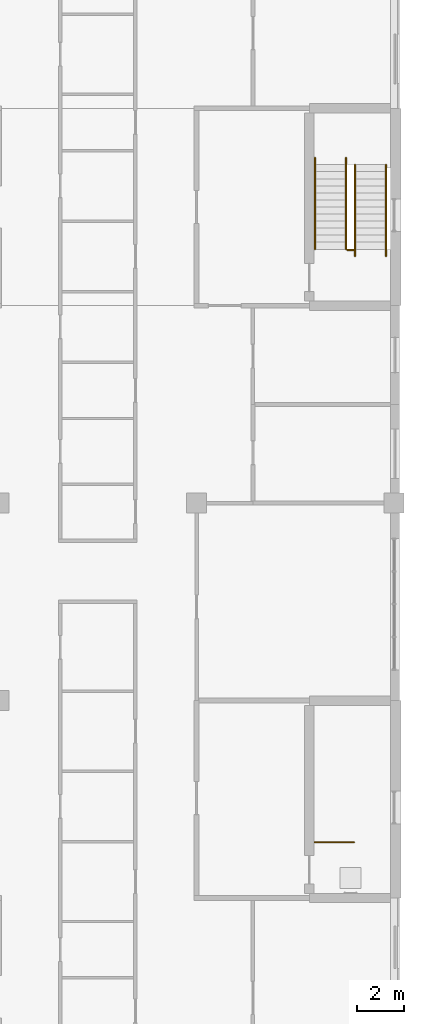
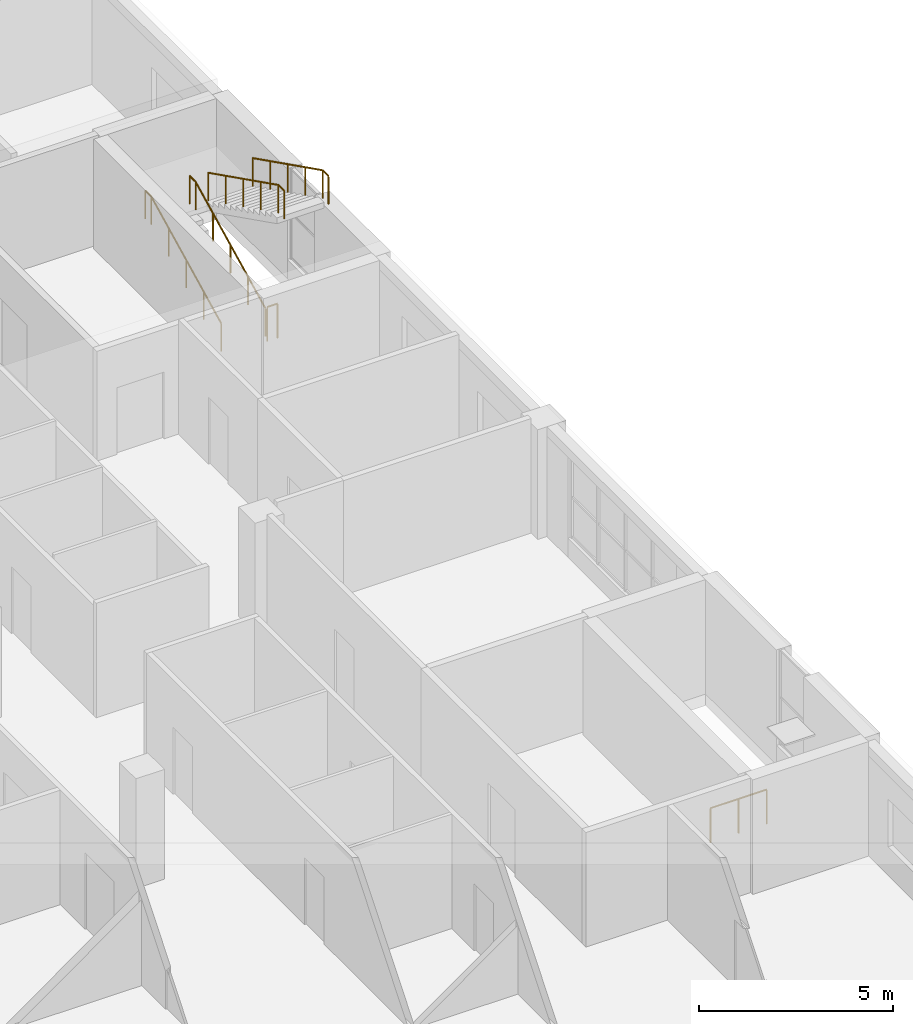
# One storey, part 93 of 94: 6 railings.
"""IFC4 building model written with IfcOpenShell, lengths in metres."""

from ifc_helpers import new_model, si_unit, direction, frame, origin, origin_2d, place, context, subcontext, project, spatial, circle, extrude, material, type_object, element, save


model = new_model("IFC4")

# Units and contexts
model_context = context("Model", 3, precision=1e-05, world=origin(), true_north=direction((0.0, 1.0)))
body_context = subcontext(model_context, "Body", "Model", "MODEL_VIEW")
ifc_project = project(units=[si_unit("LENGTHUNIT", "METRE"), si_unit("AREAUNIT", "SQUARE_METRE"), si_unit("VOLUMEUNIT", "CUBIC_METRE"), si_unit("PLANEANGLEUNIT", "RADIAN"), si_unit("MASSUNIT", "GRAM", prefix="KILO")], contexts=[model_context])

# Site, building, storey
site_placement = place(None, origin())
site = spatial("IfcSite", under=ifc_project, at=site_placement, CompositionType="ELEMENT")
building_placement = place(site_placement, origin())
building = spatial("IfcBuilding", under=site, at=building_placement, Name="Yavir Park General Hospital", CompositionType="ELEMENT")
storey_placement = place(building_placement, frame((0.0, 0.0, 4.5)))
storey = spatial("IfcBuildingStorey", under=building, at=storey_placement, Name="L01", CompositionType="ELEMENT", Elevation=4.5)

# Railings
ifc_material_1 = material(Name="Steel balustrade with infill rods", Category="steel")
railing_type_1 = type_object("IfcRailingType", Name="Stair guard, steel balustrade 1100 mm", PredefinedType="GUARDRAIL", material=ifc_material_1)
railing_1_placement = place(storey_placement, frame((164.6298828125, 52.77001953125, 0.0)))
element("IfcRailing", 1, at=railing_1_placement, inside=storey, type_object=railing_type_1, Name="Stair well guard ES1 L01", PredefinedType="GUARDRAIL", context=body_context, shape_type="SweptSolid", body=[
    extrude(circle(Radius=0.02392578125, at=origin_2d()), frame((0.0, 0.0, 1.076171875), z_axis=(1.0, 0.0, 0.0), x_axis=(0.0, 1.0, 0.0)), (0.0, 0.0, 1.0), 1.670166015625),
    extrude(circle(Radius=0.02099609375, at=origin_2d()), origin(), (0.0, 0.0, 1.0), 1.052001953125),
    extrude(circle(Radius=0.02099609375, at=origin_2d()), frame((0.8349609375, 0.0, 0.0)), (0.0, 0.0, 1.0), 1.052001953125),
    extrude(circle(Radius=0.02099609375, at=origin_2d()), frame((1.670166015625, 0.0, 0.0)), (0.0, 0.0, 1.0), 1.052001953125),
])
railing_2_placement = place(storey_placement, frame((166.0, 77.969970703125, 0.0)))
element("IfcRailing", 2, at=railing_2_placement, inside=storey, type_object=railing_type_1, Name="Stair well guard ES2 L01", PredefinedType="GUARDRAIL", context=body_context, shape_type="SweptSolid", body=[
    extrude(circle(Radius=0.02392578125, at=origin_2d()), frame((0.0, 0.0, 1.076171875), z_axis=(1.0, 0.0, 0.0), x_axis=(0.0, 1.0, 0.0)), (0.0, 0.0, 1.0), 0.300048828125),
    extrude(circle(Radius=0.02099609375, at=origin_2d()), origin(), (0.0, 0.0, 1.0), 1.052001953125),
    extrude(circle(Radius=0.02099609375, at=origin_2d()), frame((0.300048828125, 0.0, 0.0)), (0.0, 0.0, 1.0), 1.052001953125),
])
ifc_material_2 = material(Name="Stainless steel tube 48 mm", Category="steel")
railing_type_2 = type_object("IfcRailingType", Name="Stair handrail, steel tube, 900 mm above the nosings", PredefinedType="HANDRAIL", material=ifc_material_2)
for number, where, name in (
    (3, (164.639892578125, 78.0, 0.14990234375), "Handrail ES2 L01 1"),
    (4, (165.9599609375, 78.0, 0.14990234375), "Handrail ES2 L01 2"),
):
    element("IfcRailing", number, at=place(storey_placement, frame(where)), inside=storey, type_object=railing_type_2, Name=name, PredefinedType="HANDRAIL", context=body_context, shape_type="SweptSolid", body=[
        extrude(circle(Radius=0.02392578125, at=origin_2d()), frame((0.0, 0.0, 0.8759765625), z_axis=(0.0, 0.894427191, 0.4472135955), x_axis=(-1.0, 0.0, 0.0)), (0.0, 0.0, 1.0), 4.025146484375),
        extrude(circle(Radius=0.02392578125, at=origin_2d()), frame((0.0, 3.60009765625, 2.67578125), z_axis=(0.0, 1.0, 0.0), x_axis=(-1.0, 0.0, 0.0)), (0.0, 0.0, 1.0), 0.2998046875),
        extrude(circle(Radius=0.02099609375, at=origin_2d()), origin(), (0.0, 0.0, 1.0), 0.851806640625),
        extrude(circle(Radius=0.02099609375, at=origin_2d()), frame((0.0, 0.89990234375, 0.449951171875)), (0.0, 0.0, 1.0), 0.851806640625),
        extrude(circle(Radius=0.02099609375, at=origin_2d()), frame((0.0, 1.800048828125, 0.89990234375)), (0.0, 0.0, 1.0), 0.851806640625),
        extrude(circle(Radius=0.02099609375, at=origin_2d()), frame((0.0, 2.7001953125, 1.35009765625)), (0.0, 0.0, 1.0), 0.851806640625),
        extrude(circle(Radius=0.02099609375, at=origin_2d()), frame((0.0, 3.60009765625, 1.800048828125)), (0.0, 0.0, 1.0), 0.851806640625),
        extrude(circle(Radius=0.02099609375, at=origin_2d()), frame((0.0, 3.89990234375, 1.800048828125)), (0.0, 0.0, 1.0), 0.851806640625),
    ])
for number, where, name in (
    (5, (167.659912109375, 81.60009765625, 2.10009765625), "Handrail ES2 L01 3"),
    (6, (166.340087890625, 81.60009765625, 2.10009765625), "Handrail ES2 L01 4"),
):
    element("IfcRailing", number, at=place(storey_placement, frame(where)), inside=storey, type_object=railing_type_2, Name=name, PredefinedType="HANDRAIL", context=body_context, shape_type="SweptSolid", body=[
        extrude(circle(Radius=0.02392578125, at=origin_2d()), frame((0.0, 0.0, 0.8759765625), z_axis=(0.0, -0.894451452574, 0.447165069061), x_axis=(1.0, 0.0, 0.0)), (0.0, 0.0, 1.0), 4.02490234375),
        extrude(circle(Radius=0.02392578125, at=origin_2d()), frame((0.0, -3.60009765625, 2.67578125), z_axis=(0.0, -1.0, 0.0), x_axis=(1.0, 0.0, 0.0)), (0.0, 0.0, 1.0), 0.300048828125),
        extrude(circle(Radius=0.02099609375, at=origin_2d()), origin(), (0.0, 0.0, 1.0), 0.851806640625),
        extrude(circle(Radius=0.02099609375, at=origin_2d()), frame((0.0, -0.89990234375, 0.449951171875)), (0.0, 0.0, 1.0), 0.851806640625),
        extrude(circle(Radius=0.02099609375, at=origin_2d()), frame((0.0, -1.800048828125, 0.89990234375)), (0.0, 0.0, 1.0), 0.851806640625),
        extrude(circle(Radius=0.02099609375, at=origin_2d()), frame((0.0, -2.7001953125, 1.349853515625)), (0.0, 0.0, 1.0), 0.851806640625),
        extrude(circle(Radius=0.02099609375, at=origin_2d()), frame((0.0, -3.60009765625, 1.7998046875)), (0.0, 0.0, 1.0), 0.851806640625),
        extrude(circle(Radius=0.02099609375, at=origin_2d()), frame((0.0, -3.900146484375, 1.7998046875)), (0.0, 0.0, 1.0), 0.851806640625),
    ])

save(model, "model.ifc")
